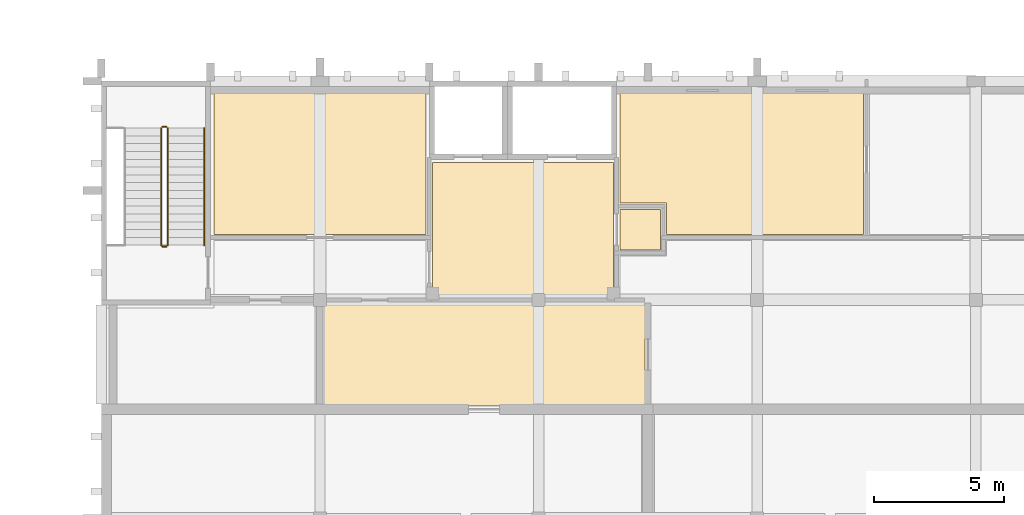
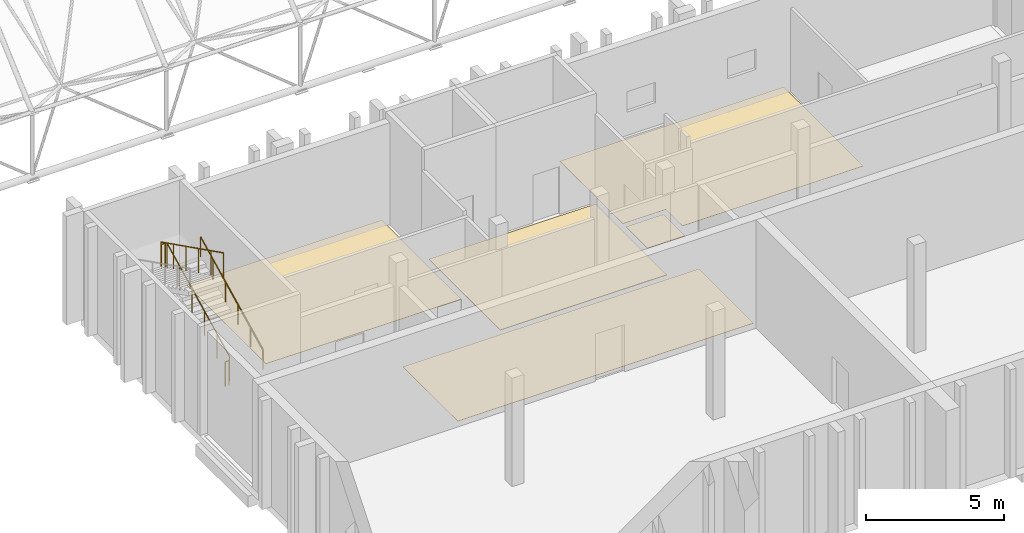
# One storey, part 98 of 100: 5 coverings, 5 railings.
"""IFC4 building model written with IfcOpenShell, lengths in metres."""

from ifc_helpers import new_model, si_unit, direction, frame, origin, origin_2d, place, context, subcontext, project, spatial, polyline, circle, outline, extrude, material, layer, layer_set, type_object, element, save


model = new_model("IFC4")

# Units and contexts
model_context = context("Model", 3, precision=1e-05, world=origin(), true_north=direction((0.0, 1.0)))
body_context = subcontext(model_context, "Body", "Model", "MODEL_VIEW")
ifc_project = project(units=[si_unit("LENGTHUNIT", "METRE"), si_unit("AREAUNIT", "SQUARE_METRE"), si_unit("VOLUMEUNIT", "CUBIC_METRE"), si_unit("PLANEANGLEUNIT", "RADIAN"), si_unit("MASSUNIT", "GRAM", prefix="KILO")], contexts=[model_context])

# Site, building, storey
site_placement = place(None, origin())
site = spatial("IfcSite", under=ifc_project, at=site_placement, CompositionType="ELEMENT")
building_placement = place(site_placement, origin())
building = spatial("IfcBuilding", under=site, at=building_placement, Name="Kiln Court Media Centre", CompositionType="ELEMENT")
storey_placement = place(building_placement, frame((0.0, 0.0, 15.0)))
storey = spatial("IfcBuildingStorey", under=building, at=storey_placement, Name="L03", CompositionType="ELEMENT", Elevation=15.0)

# Coverings
ifc_material_1 = material(Name="Carpet tile")
ifc_layer_1 = layer(ifc_material_1, 0.014892578125)
ifc_layer_set_1 = layer_set([ifc_layer_1], Name="Carpet tile floor finish 15")
covering_type_1 = type_object("IfcCoveringType", Name="Carpet tile floor finish 15", PredefinedType="FLOORING", material=ifc_layer_set_1)
covering_1_placement = place(storey_placement, origin())
element("IfcCovering", 1, at=covering_1_placement, inside=storey, type_object=covering_type_1, Name="Sound Lobby floor finish", PredefinedType="FLOORING", context=body_context, shape_type="SweptSolid", body=[
    extrude(outline(polyline([(134.52001953125, 12.719970703125), (146.8798828125, 12.719970703125), (146.8798828125, 16.679931640625), (134.52001953125, 16.679931640625), (134.52001953125, 12.719970703125)])), origin(), (0.0, 0.0, 1.0), 0.014892578125),
])
covering_2_placement = place(storey_placement, origin())
element("IfcCovering", 2, at=covering_2_placement, inside=storey, type_object=covering_type_1, Name="Audio Post Suite 2 floor finish", PredefinedType="FLOORING", context=body_context, shape_type="SweptSolid", body=[
    extrude(outline(polyline([(130.320068359375, 19.320068359375), (138.47998046875, 19.320068359375), (138.47998046875, 25.080078125), (130.320068359375, 25.080078125), (130.320068359375, 19.320068359375)])), origin(), (0.0, 0.0, 1.0), 0.014892578125),
])
ifc_material_2 = material(Name="Ceramic tile")
ifc_layer_2 = layer(ifc_material_2, 0.011962890625)
ifc_layer_set_2 = layer_set([ifc_layer_2], Name="Ceramic tile floor finish 12")
covering_type_2 = type_object("IfcCoveringType", Name="Ceramic tile floor finish 12", PredefinedType="FLOORING", material=ifc_layer_set_2)
covering_3_placement = place(storey_placement, origin())
element("IfcCovering", 3, at=covering_3_placement, inside=storey, type_object=covering_type_2, Name="Toilets floor finish", PredefinedType="FLOORING", context=body_context, shape_type="SweptSolid", body=[
    extrude(outline(polyline([(145.919921875, 25.080078125), (145.919921875, 20.52001953125), (147.719970703125, 20.52001953125), (147.719970703125, 19.320068359375), (155.280029296875, 19.320068359375), (155.280029296875, 25.080078125), (145.919921875, 25.080078125)])), origin(), (0.0, 0.0, 1.0), 0.011962890625),
])
ifc_material_3 = material(Name="Terrazzo")
ifc_layer_3 = layer(ifc_material_3, 0.02490234375)
ifc_layer_set_3 = layer_set([ifc_layer_3], Name="Polished terrazzo floor finish 25")
covering_type_3 = type_object("IfcCoveringType", Name="Polished terrazzo floor finish 25", PredefinedType="FLOORING", material=ifc_layer_set_3)
covering_4_placement = place(storey_placement, origin())
element("IfcCovering", 4, at=covering_4_placement, inside=storey, type_object=covering_type_3, Name="Fire-fighting Lift Lobby floor finish", PredefinedType="FLOORING", context=body_context, shape_type="SweptSolid", body=[
    extrude(outline(polyline([(138.719970703125, 16.919921875), (145.679931640625, 16.919921875), (145.679931640625, 22.080078125), (138.719970703125, 22.080078125), (138.719970703125, 16.919921875)])), origin(), (0.0, 0.0, 1.0), 0.02490234375),
])
covering_5_placement = place(storey_placement, origin())
element("IfcCovering", 5, at=covering_5_placement, inside=storey, type_object=covering_type_3, Name="Wheelchair Refuge floor finish", PredefinedType="FLOORING", context=body_context, shape_type="SweptSolid", body=[
    extrude(outline(polyline([(145.919921875, 18.719970703125), (147.47998046875, 18.719970703125), (147.47998046875, 20.280029296875), (145.919921875, 20.280029296875), (145.919921875, 18.719970703125)])), origin(), (0.0, 0.0, 1.0), 0.02490234375),
])

# Railings
ifc_material_4 = material(Name="Steel S275", Category="steel")
railing_type_1 = type_object("IfcRailingType", Name="Steel S275 stair guard 1100", PredefinedType="GUARDRAIL", material=ifc_material_4)
railing_1_placement = place(storey_placement, frame((128.550048828125, 18.89990234375, 0.14990234375)))
element("IfcRailing", 6, at=railing_1_placement, inside=storey, type_object=railing_type_1, Name="ST-16 stair guard", PredefinedType="GUARDRAIL", context=body_context, shape_type="SweptSolid", body=[
    extrude(circle(Radius=0.02392578125, at=origin_2d()), frame((0.0, 0.0, 1.076171875), z_axis=(0.0, 0.894427191, 0.4472135955), x_axis=(-1.0, 0.0, 0.0)), (0.0, 0.0, 1.0), 5.03125),
    extrude(circle(Radius=0.02099609375, at=origin_2d()), origin(), (0.0, 0.0, 1.0), 1.052001953125),
    extrude(circle(Radius=0.02099609375, at=origin_2d()), frame((0.0, 0.89990234375, 0.449951171875)), (0.0, 0.0, 1.0), 1.052001953125),
    extrude(circle(Radius=0.02099609375, at=origin_2d()), frame((0.0, 1.800048828125, 0.89990234375)), (0.0, 0.0, 1.0), 1.052001953125),
    extrude(circle(Radius=0.02099609375, at=origin_2d()), frame((0.0, 2.699951171875, 1.35009765625)), (0.0, 0.0, 1.0), 1.052001953125),
    extrude(circle(Radius=0.02099609375, at=origin_2d()), frame((0.0, 3.60009765625, 1.800048828125)), (0.0, 0.0, 1.0), 1.052001953125),
    extrude(circle(Radius=0.02099609375, at=origin_2d()), frame((0.0, 4.5, 2.25)), (0.0, 0.0, 1.0), 1.052001953125),
])
railing_2_placement = place(storey_placement, frame((128.5, 23.449951171875, 2.39990234375)))
element("IfcRailing", 7, at=railing_2_placement, inside=storey, type_object=railing_type_1, Name="ST-16 stair guard", PredefinedType="GUARDRAIL", context=body_context, shape_type="SweptSolid", body=[
    extrude(circle(Radius=0.02392578125, at=origin_2d()), frame((0.0, 0.0, 1.076171875), z_axis=(-1.0, 0.0, 0.0), x_axis=(0.0, -1.0, 0.0)), (0.0, 0.0, 1.0), 0.14990234375),
    extrude(circle(Radius=0.02099609375, at=origin_2d()), origin(), (0.0, 0.0, 1.0), 1.052001953125),
    extrude(circle(Radius=0.02099609375, at=origin_2d()), frame((-0.14990234375, 0.0, 0.0)), (0.0, 0.0, 1.0), 1.052001953125),
])
railing_3_placement = place(storey_placement, frame((128.300048828125, 23.39990234375, 2.550048828125)))
element("IfcRailing", 8, at=railing_3_placement, inside=storey, type_object=railing_type_1, Name="ST-16 stair guard", PredefinedType="GUARDRAIL", context=body_context, shape_type="SweptSolid", body=[
    extrude(circle(Radius=0.02392578125, at=origin_2d()), frame((0.0, 0.0, 1.076171875), z_axis=(0.0, -0.894427191, 0.4472135955), x_axis=(1.0, 0.0, 0.0)), (0.0, 0.0, 1.0), 5.03125),
    extrude(circle(Radius=0.02099609375, at=origin_2d()), origin(), (0.0, 0.0, 1.0), 1.052001953125),
    extrude(circle(Radius=0.02099609375, at=origin_2d()), frame((0.0, -0.89990234375, 0.449951171875)), (0.0, 0.0, 1.0), 1.052001953125),
    extrude(circle(Radius=0.02099609375, at=origin_2d()), frame((0.0, -1.800048828125, 0.89990234375)), (0.0, 0.0, 1.0), 1.052001953125),
    extrude(circle(Radius=0.02099609375, at=origin_2d()), frame((0.0, -2.699951171875, 1.35009765625)), (0.0, 0.0, 1.0), 1.052001953125),
    extrude(circle(Radius=0.02099609375, at=origin_2d()), frame((0.0, -3.60009765625, 1.800048828125)), (0.0, 0.0, 1.0), 1.052001953125),
    extrude(circle(Radius=0.02099609375, at=origin_2d()), frame((0.0, -4.5, 2.25)), (0.0, 0.0, 1.0), 1.052001953125),
])
railing_4_placement = place(storey_placement, frame((128.5, 18.85009765625, 0.0)))
element("IfcRailing", 9, at=railing_4_placement, inside=storey, type_object=railing_type_1, Name="ST-16 stair guard", PredefinedType="GUARDRAIL", context=body_context, shape_type="SweptSolid", body=[
    extrude(circle(Radius=0.02392578125, at=origin_2d()), frame((0.0, 0.0, 1.076171875), z_axis=(-1.0, 0.0, 0.0), x_axis=(0.0, -1.0, 0.0)), (0.0, 0.0, 1.0), 0.14990234375),
    extrude(circle(Radius=0.02099609375, at=origin_2d()), origin(), (0.0, 0.0, 1.0), 1.052001953125),
    extrude(circle(Radius=0.02099609375, at=origin_2d()), frame((-0.14990234375, 0.0, 0.0)), (0.0, 0.0, 1.0), 1.052001953125),
])
ifc_material_5 = material(Name="Steel S275", Category="steel")
railing_type_2 = type_object("IfcRailingType", Name="Steel S275 stair handrail 900", PredefinedType="HANDRAIL", material=ifc_material_5)
railing_5_placement = place(storey_placement, frame((129.949951171875, 18.89990234375, 0.14990234375)))
element("IfcRailing", 10, at=railing_5_placement, inside=storey, type_object=railing_type_2, Name="ST-16 stair handrail", PredefinedType="HANDRAIL", context=body_context, shape_type="SweptSolid", body=[
    extrude(circle(Radius=0.02392578125, at=origin_2d()), frame((0.0, 0.0, 0.8759765625), z_axis=(0.0, 0.894427191, 0.4472135955), x_axis=(-1.0, 0.0, 0.0)), (0.0, 0.0, 1.0), 5.03125),
    extrude(circle(Radius=0.02099609375, at=origin_2d()), origin(), (0.0, 0.0, 1.0), 0.851806640625),
    extrude(circle(Radius=0.02099609375, at=origin_2d()), frame((0.0, 0.89990234375, 0.449951171875)), (0.0, 0.0, 1.0), 0.851806640625),
    extrude(circle(Radius=0.02099609375, at=origin_2d()), frame((0.0, 1.800048828125, 0.89990234375)), (0.0, 0.0, 1.0), 0.851806640625),
    extrude(circle(Radius=0.02099609375, at=origin_2d()), frame((0.0, 2.699951171875, 1.35009765625)), (0.0, 0.0, 1.0), 0.851806640625),
    extrude(circle(Radius=0.02099609375, at=origin_2d()), frame((0.0, 3.60009765625, 1.800048828125)), (0.0, 0.0, 1.0), 0.851806640625),
    extrude(circle(Radius=0.02099609375, at=origin_2d()), frame((0.0, 4.5, 2.25)), (0.0, 0.0, 1.0), 0.851806640625),
])

save(model, "model.ifc")
